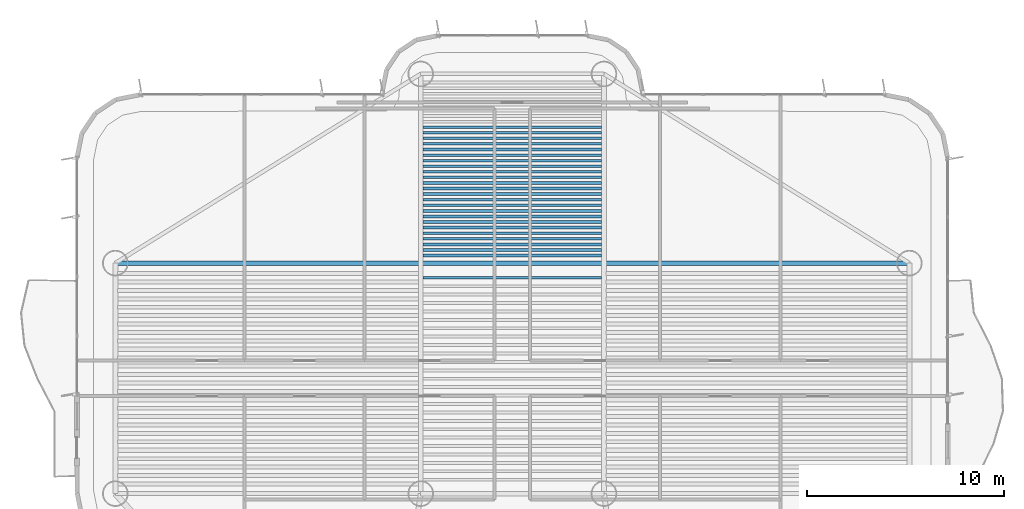
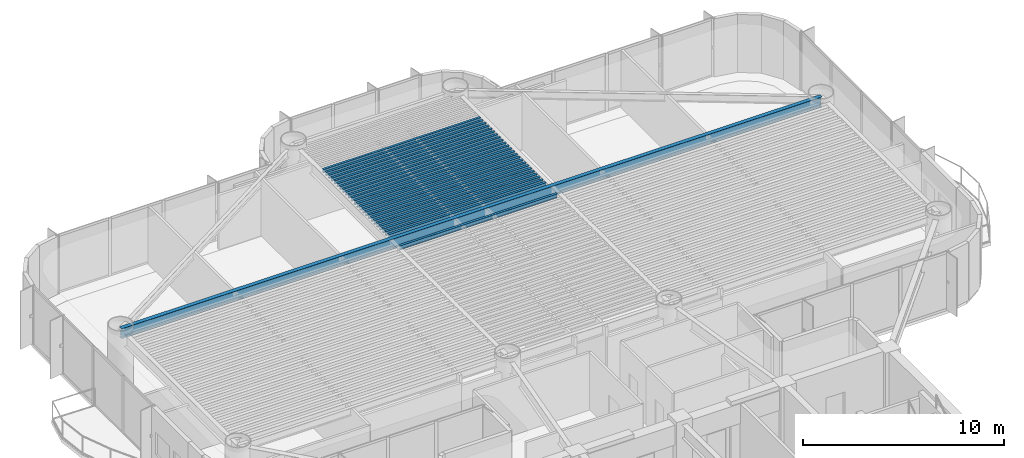
# One storey, part 6 of 16: 26 beams.
"""IFC4 building model written with IfcOpenShell, lengths in metres."""

from ifc_helpers import new_model, si_unit, direction, frame, origin, origin_2d, place, context, subcontext, project, spatial, i_section, extrude, source, transform, mapped, material, material_profile, profile_set, type_object, element, save


model = new_model("IFC4")

# Units and contexts
model_context = context("Model", 3, precision=1e-05, world=origin(), true_north=direction((0.0, 1.0)))
body_context = subcontext(model_context, "Body", "Model", "MODEL_VIEW")
ifc_project = project(units=[si_unit("LENGTHUNIT", "METRE"), si_unit("AREAUNIT", "SQUARE_METRE"), si_unit("VOLUMEUNIT", "CUBIC_METRE"), si_unit("PLANEANGLEUNIT", "RADIAN"), si_unit("MASSUNIT", "GRAM", prefix="KILO")], contexts=[model_context])

# Site, building, storey
site_placement = place(None, origin())
site = spatial("IfcSite", under=ifc_project, at=site_placement, CompositionType="ELEMENT")
building_placement = place(site_placement, origin())
building = spatial("IfcBuilding", under=site, at=building_placement, Name="Brelvock Crest Care Tower", CompositionType="ELEMENT")
storey_placement = place(building_placement, frame((0.0, 0.0, 112.5)))
storey = spatial("IfcBuildingStorey", under=building, at=storey_placement, Name="L28", CompositionType="ELEMENT", Elevation=112.5)

# Beams
ifc_material = material(Name="Steel Grade 350", Category="steel")
ifc_material_profile_1 = material_profile(ifc_material, i_section(OverallWidth=0.14599609375, OverallDepth=0.256103515625, WebThickness=0.00634765625, FlangeThickness=0.010986328125, FilletRadius=0.0087890625, at=origin_2d()), Name="250UB37.3")
ifc_profile_set_1 = profile_set([ifc_material_profile_1], Name="Steel Grade 350")
beam_type_1 = type_object("IfcBeamType", Name="BM-J3", PredefinedType="JOIST", material=ifc_profile_set_1)
shared_shape_1 = source(origin(), body_context, "Body", "SweptSolid", [
    extrude(i_section(OverallWidth=0.14599609375, OverallDepth=0.256103515625, WebThickness=0.00634765625, FlangeThickness=0.010986328125, FilletRadius=0.0087890625, at=origin_2d()), origin(), (0.0, 0.0, 1.0), 9.06982421875),
])
for number, where, z_axis, x_axis, name in (
    (1, (31.465087890625, 38.10400390625, 3.402099609375), (1.0, 0.0, 0.0), (0.0, 1.0, 0.0), "BM-JH-L28-25"),
    (2, (31.465087890625, 39.23388671875, 3.402099609375), (1.0, 0.0, 0.0), (0.0, 1.0, 0.0), "BM-JN-L28-1"),
    (3, (31.465087890625, 39.51708984375, 3.402099609375), (1.0, 0.0, 0.0), (0.0, 1.0, 0.0), "BM-JN-L28-2"),
    (4, (31.465087890625, 39.80029296875, 3.402099609375), (1.0, 0.0, 0.0), (0.0, 1.0, 0.0), "BM-JN-L28-3"),
    (5, (31.465087890625, 40.08349609375, 3.402099609375), (1.0, 0.0, 0.0), (0.0, 1.0, 0.0), "BM-JN-L28-4"),
    (6, (31.465087890625, 40.36669921875, 3.402099609375), (1.0, 0.0, 0.0), (0.0, 1.0, 0.0), "BM-JN-L28-5"),
    (7, (31.465087890625, 40.64990234375, 3.402099609375), (1.0, 0.0, 0.0), (0.0, 1.0, 0.0), "BM-JN-L28-6"),
    (8, (31.465087890625, 40.93310546875, 3.402099609375), (1.0, 0.0, 0.0), (0.0, 1.0, 0.0), "BM-JN-L28-7"),
    (9, (31.465087890625, 41.21630859375, 3.402099609375), (1.0, 0.0, 0.0), (0.0, 1.0, 0.0), "BM-JN-L28-8"),
    (10, (31.465087890625, 41.49951171875, 3.402099609375), (1.0, 0.0, 0.0), (0.0, 1.0, 0.0), "BM-JN-L28-9"),
    (11, (31.465087890625, 41.78271484375, 3.402099609375), (1.0, 0.0, 0.0), (0.0, 1.0, 0.0), "BM-JN-L28-10"),
    (12, (31.465087890625, 42.06591796875, 3.402099609375), (1.0, 0.0, 0.0), (0.0, 1.0, 0.0), "BM-JN-L28-11"),
    (13, (31.465087890625, 42.34912109375, 3.402099609375), (1.0, 0.0, 0.0), (0.0, 1.0, 0.0), "BM-JN-L28-12"),
    (14, (31.465087890625, 42.63232421875, 3.402099609375), (1.0, 0.0, 0.0), (0.0, 1.0, 0.0), "BM-JN-L28-13"),
):
    element("IfcBeam", number, at=place(storey_placement, frame(where, z_axis=z_axis, x_axis=x_axis)), inside=storey, type_object=beam_type_1, Name=name, PredefinedType="JOIST", context=body_context, shape_type="MappedRepresentation", body=[
        mapped(shared_shape_1, transform((0.0, 0.0, 0.0), x_axis=(1.0, 0.0, 0.0), y_axis=(0.0, 1.0, 0.0), z_axis=(0.0, 0.0, 1.0), scale=1.0)),
    ])
ifc_material_profile_2 = material_profile(ifc_material, i_section(OverallWidth=0.134033203125, OverallDepth=0.20703125, WebThickness=0.00634765625, FlangeThickness=0.009521484375, FilletRadius=0.0087890625, at=origin_2d()), Name="200UB29.8")
ifc_profile_set_2 = profile_set([ifc_material_profile_2], Name="Steel Grade 350")
beam_type_2 = type_object("IfcBeamType", Name="BM-J4", PredefinedType="JOIST", material=ifc_profile_set_2)
shared_shape_2 = source(origin(), body_context, "Body", "SweptSolid", [
    extrude(i_section(OverallWidth=0.134033203125, OverallDepth=0.20703125, WebThickness=0.00634765625, FlangeThickness=0.009521484375, FilletRadius=0.0087890625, at=origin_2d()), origin(), (0.0, 0.0, 1.0), 9.06982421875),
])
for number, where, z_axis, x_axis, name in (
    (15, (31.465087890625, 42.91552734375, 3.426513671875), (1.0, 0.0, 0.0), (0.0, 1.0, 0.0), "BM-JN-L28-14"),
    (16, (31.465087890625, 43.19873046875, 3.426513671875), (1.0, 0.0, 0.0), (0.0, 1.0, 0.0), "BM-JN-L28-15"),
    (17, (31.465087890625, 43.48193359375, 3.426513671875), (1.0, 0.0, 0.0), (0.0, 1.0, 0.0), "BM-JN-L28-16"),
    (18, (31.465087890625, 43.76513671875, 3.426513671875), (1.0, 0.0, 0.0), (0.0, 1.0, 0.0), "BM-JN-L28-17"),
    (19, (31.465087890625, 44.04833984375, 3.426513671875), (1.0, 0.0, 0.0), (0.0, 1.0, 0.0), "BM-JN-L28-18"),
    (20, (31.465087890625, 44.33154296875, 3.426513671875), (1.0, 0.0, 0.0), (0.0, 1.0, 0.0), "BM-JN-L28-19"),
    (21, (31.465087890625, 44.61474609375, 3.426513671875), (1.0, 0.0, 0.0), (0.0, 1.0, 0.0), "BM-JN-L28-20"),
    (22, (31.465087890625, 44.89794921875, 3.426513671875), (1.0, 0.0, 0.0), (0.0, 1.0, 0.0), "BM-JN-L28-21"),
    (23, (31.465087890625, 45.18115234375, 3.426513671875), (1.0, 0.0, 0.0), (0.0, 1.0, 0.0), "BM-JN-L28-22"),
    (24, (31.465087890625, 45.46435546875, 3.426513671875), (1.0, 0.0, 0.0), (0.0, 1.0, 0.0), "BM-JN-L28-23"),
    (25, (31.465087890625, 45.74755859375, 3.426513671875), (1.0, 0.0, 0.0), (0.0, 1.0, 0.0), "BM-JN-L28-24"),
):
    element("IfcBeam", number, at=place(storey_placement, frame(where, z_axis=z_axis, x_axis=x_axis)), inside=storey, type_object=beam_type_2, Name=name, PredefinedType="JOIST", context=body_context, shape_type="MappedRepresentation", body=[
        mapped(shared_shape_2, transform((0.0, 0.0, 0.0), x_axis=(1.0, 0.0, 0.0), y_axis=(0.0, 1.0, 0.0), z_axis=(0.0, 0.0, 1.0), scale=1.0)),
    ])
ifc_material_profile_3 = material_profile(ifc_material, i_section(OverallWidth=0.22900390625, OverallDepth=0.612060546875, WebThickness=0.011962890625, FlangeThickness=0.01953125, FilletRadius=0.013916015625, at=origin_2d()), Name="610UB125")
ifc_profile_set_3 = profile_set([ifc_material_profile_3], Name="Steel Grade 350")
beam_type_3 = type_object("IfcBeamType", Name="BM-G1", PredefinedType="BEAM", material=ifc_profile_set_3)
shared_shape_3 = source(origin(), body_context, "Body", "SweptSolid", [
    extrude(i_section(OverallWidth=0.22900390625, OverallDepth=0.612060546875, WebThickness=0.011962890625, FlangeThickness=0.01953125, FilletRadius=0.013916015625, at=origin_2d()), origin(), (0.0, 0.0, 1.0), 40.2998046875),
])
beam_placement = place(storey_placement, frame((15.85009765625, 38.85009765625, 3.22412109375), z_axis=(1.0, 0.0, 0.0), x_axis=(0.0, 1.0, 0.0)))
element("IfcBeam", 26, at=beam_placement, inside=storey, type_object=beam_type_3, Name="BM-TWR-L28-11", PredefinedType="BEAM", context=body_context, shape_type="MappedRepresentation", body=[
    mapped(shared_shape_3, transform((0.0, 0.0, 0.0), x_axis=(1.0, 0.0, 0.0), y_axis=(0.0, 1.0, 0.0), z_axis=(0.0, 0.0, 1.0), scale=1.0)),
])

save(model, "model.ifc")
